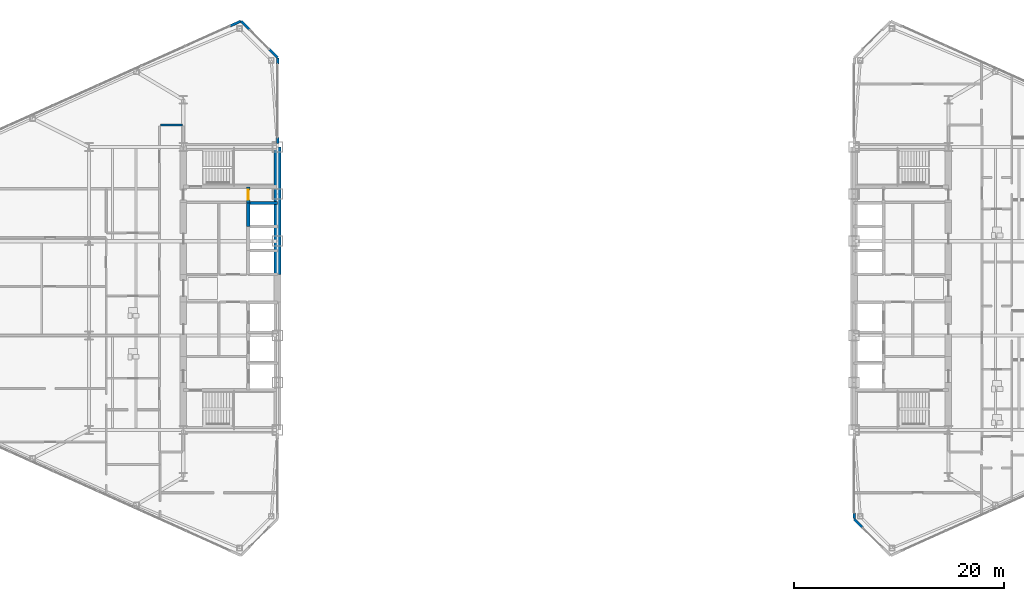
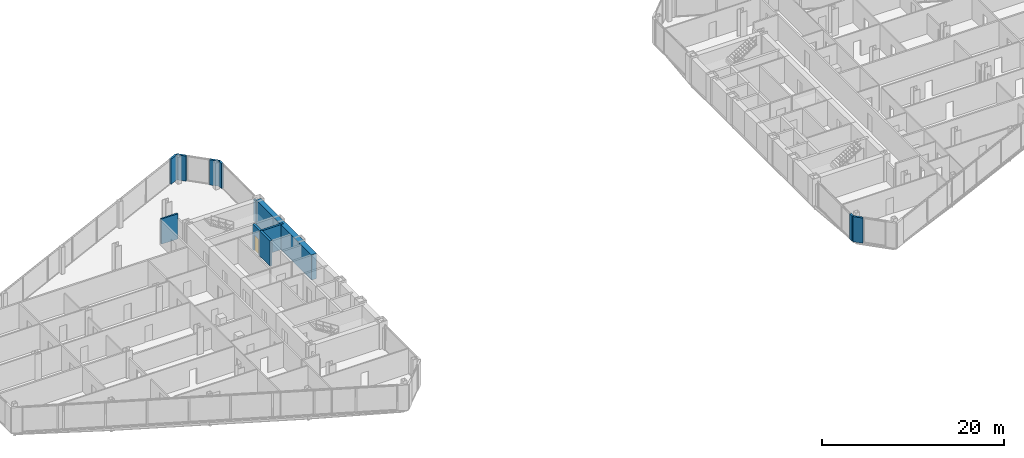
# One storey, part 21 of 27: 12 walls, 1 door, 1 opening.
"""IFC4 building model written with IfcOpenShell, lengths in metres."""

from ifc_helpers import new_model, si_unit, direction, frame, frame_2d, origin, place, context, subcontext, project, spatial, rectangle, extrude, source, transform, mapped, material, layer, layer_set, type_object, type_shapes, element, fill, save


model = new_model("IFC4")

# Units and contexts
model_context = context("Model", 3, precision=1e-05, world=origin(), true_north=direction((0.0, 1.0)))
body_context = subcontext(model_context, "Body", "Model", "MODEL_VIEW")
ifc_project = project(units=[si_unit("LENGTHUNIT", "METRE"), si_unit("AREAUNIT", "SQUARE_METRE"), si_unit("VOLUMEUNIT", "CUBIC_METRE"), si_unit("PLANEANGLEUNIT", "RADIAN"), si_unit("MASSUNIT", "GRAM", prefix="KILO")], contexts=[model_context])

# Site, building, storey
site_placement = place(None, origin())
site = spatial("IfcSite", under=ifc_project, at=site_placement, CompositionType="ELEMENT")
building_placement = place(site_placement, origin())
building = spatial("IfcBuilding", under=site, at=building_placement, Name="Seokmaru Belvedere", CompositionType="ELEMENT")
storey_placement = place(building_placement, frame((0.0, 0.0, 65.699951171875)))
storey = spatial("IfcBuildingStorey", under=building, at=storey_placement, Name="L17", CompositionType="ELEMENT", Elevation=65.699951171875)

# Walls
ifc_material_1 = material(Name="Concrete C50 (50 MPa)", Category="concrete")
ifc_layer_1 = layer(ifc_material_1, 0.25)
ifc_layer_set_1 = layer_set([ifc_layer_1], Name="Concrete C50 (50 MPa)")
wall_type_1 = type_object("IfcWallType", Name="Hoistway Transverse Concrete Divider Wall 250", PredefinedType="SHEAR", material=ifc_layer_set_1)
wall_1_placement = place(storey_placement, frame((-30.300048828125, 8.14990234375, 0.0), z_axis=(0.0, 0.0, 1.0), x_axis=(1.0, 0.0, 0.0)))
element("IfcWall", 1, at=wall_1_placement, inside=storey, type_object=wall_type_1, Name="L17 West Hoistway Divider Core Wall 7", PredefinedType="SHEAR", context=body_context, shape_type="SweptSolid", body=[
    extrude(rectangle(XDim=2.800048828125, YDim=0.25, at=frame_2d((1.39990234375, 0.0))), origin(), (0.0, 0.0, 1.0), 3.380126953125),
])
ifc_material_2 = material(Name="Fire-Rated Gypsum Shaftwall")
ifc_layer_2 = layer(ifc_material_2, 0.199951171875)
ifc_layer_set_2 = layer_set([ifc_layer_2], Name="Fire-Rated Gypsum Shaftwall")
wall_type_2 = type_object("IfcWallType", Name="Inter-Tenancy Fire Compartment Partition 200", PredefinedType="PARTITIONING", material=ifc_layer_set_2)
wall_2_placement = place(storey_placement, frame((-38.6650390625, 15.60009765625, 0.0), z_axis=(0.0, 0.0, 1.0), x_axis=(1.0, 0.0, 0.0)))
element("IfcWall", 2, at=wall_2_placement, inside=storey, type_object=wall_type_2, Name="L17 Interior Partition 029", PredefinedType="PARTITIONING", context=body_context, shape_type="SweptSolid", body=[
    extrude(rectangle(XDim=2.080078125, YDim=0.199951171875, at=frame_2d((1.0400390625, 0.0))), origin(), (0.0, 0.0, 1.0), 3.380126953125),
])
ifc_layer_3 = layer(ifc_material_1, 0.300048828125)
ifc_layer_set_3 = layer_set([ifc_layer_3], Name="Concrete C50 (50 MPa)")
wall_type_3 = type_object("IfcWallType", Name="Internal Core Stair and Hoistway Wall 300", PredefinedType="SHEAR", material=ifc_layer_set_3)
wall_3_placement = place(storey_placement, frame((-30.300048828125, 5.89990234375, 0.0), z_axis=(0.0, 0.0, 1.0), x_axis=(0.0, 1.0, 0.0)))
element("IfcWall", 3, at=wall_3_placement, inside=storey, type_object=wall_type_3, Name="L17 West North Hoistway Wall OBS", PredefinedType="SHEAR", context=body_context, shape_type="SweptSolid", body=[
    extrude(rectangle(XDim=2.25, YDim=0.300048828125, at=frame_2d((1.125, 0.0))), origin(), (0.0, 0.0, 1.0), 3.380126953125),
])

# Wall, opening, door
wall_4_placement = place(storey_placement, frame((-30.300048828125, 8.14990234375, 0.0), z_axis=(0.0, 0.0, 1.0), x_axis=(0.0, 1.0, 0.0)))
wall_4 = element("IfcWall", 4, at=wall_4_placement, inside=storey, type_object=wall_type_3, Name="L17 West Electrical Riser Front Wall", PredefinedType="SHEAR", context=body_context, shape_type="SweptSolid", body=[
    extrude(rectangle(XDim=1.530029296875, YDim=0.300048828125, at=frame_2d((0.76513671875, 0.0))), origin(), (0.0, 0.0, 1.0), 3.380126953125),
])
opening_placement = place(wall_4_placement, frame((0.284912109375, 0.0, 0.0)))
opening = element("IfcOpeningElement", 5, at=opening_placement, cuts=wall_4, Name="Opening D04", PredefinedType="OPENING", context=body_context, shape_type="SweptSolid", body=[
    extrude(rectangle(XDim=0.949951171875, YDim=2.14990234375, at=frame_2d((0.47509765625, 1.074951171875))), frame((0.0, 0.16015625, 0.0), z_axis=(0.0, -1.0, 0.0), x_axis=(1.0, 0.0, 0.0)), (0.0, 0.0, 1.0), 0.320068359375),
])
ifc_material_3 = material(Name="Fire-Rated Steel Leaf", Category="steel")
door_type = type_object("IfcDoorType", Name="Core Service Room Fire Door 950x2150", OperationType="NOTDEFINED", PredefinedType="DOOR", material=ifc_material_3)
shared_shape = source(origin(), body_context, "Body", "SweptSolid", [
    extrude(rectangle(XDim=0.949951171875, YDim=2.14990234375, at=frame_2d((0.47509765625, 1.074951171875))), frame((0.0, 0.02490234375, 0.0), z_axis=(0.0, -1.0, 0.0), x_axis=(1.0, 0.0, 0.0)), (0.0, 0.0, 1.0), 0.050048828125),
])
type_shapes(door_type, [shared_shape])
door_placement = place(opening_placement, origin())
door = element("IfcDoor", 6, at=door_placement, inside=storey, type_object=door_type, Name="L17 West Electrical Riser Access Door", OperationType="SINGLE_SWING_LEFT", OverallHeight=2.14990234375, OverallWidth=0.949951171875, PredefinedType="DOOR", context=body_context, shape_type="MappedRepresentation", body=[
    mapped(shared_shape, transform((0.0, 0.0, 0.0), scale=1.0)),
])
fill(opening, door)

# Walls
ifc_material_4 = material(Name="Concrete C60 (60 MPa)", Category="concrete")
ifc_layer_4 = layer(ifc_material_4, 0.64990234375)
ifc_layer_set_4 = layer_set([ifc_layer_4], Name="Concrete C60 (60 MPa)")
wall_type_4 = type_object("IfcWallType", Name="Mid-Low Reinforced Concrete Core Wall 650", PredefinedType="SHEAR", material=ifc_layer_set_4)
wall_5_placement = place(storey_placement, frame((-27.5, 1.300048828125, 0.0), z_axis=(0.0, 0.0, 1.0), x_axis=(0.0, 1.0, 0.0)))
element("IfcWall", 7, at=wall_5_placement, inside=storey, type_object=wall_type_4, Name="L17 West Portal Spine Core Wall North", PredefinedType="SHEAR", context=body_context, shape_type="SweptSolid", body=[
    extrude(rectangle(XDim=12.199951171875, YDim=0.64990234375, at=frame_2d((6.10009765625, 0.0))), origin(), (0.0, 0.0, 1.0), 3.380126953125),
])
ifc_material_5 = material(Name="Anodised Bronze Aluminium", Category="aluminium")
ifc_layer_5 = layer(ifc_material_5, 0.239990234375)
ifc_layer_set_5 = layer_set([ifc_layer_5], Name="Anodised Bronze Aluminium")
wall_type_5 = type_object("IfcWallType", Name="Tower Corner Spandrel Closure Wall 240", PredefinedType="SOLIDWALL", material=ifc_layer_set_5)
wall_6_placement = place(storey_placement, frame((-27.5, 13.830078125, 0.0), z_axis=(0.0, 0.0, 1.0), x_axis=(0.0, 1.0, 0.0)))
element("IfcWall", 8, at=wall_6_placement, inside=storey, type_object=wall_type_5, Name="L17 W Spine Closure Pier 2A", PredefinedType="SOLIDWALL", context=body_context, shape_type="SweptSolid", body=[
    extrude(rectangle(XDim=0.5498046875, YDim=0.239990234375, at=frame_2d((0.27490234375, 0.0))), origin(), (0.0, 0.0, 1.0), 2.880126953125),
])
wall_7_placement = place(storey_placement, frame((-27.5, 21.429931640625, 0.0), z_axis=(0.0, 0.0, 1.0), x_axis=(0.0, 1.0, 0.0)))
element("IfcWall", 9, at=wall_7_placement, inside=storey, type_object=wall_type_5, Name="L17 W Spine Closure Pier 2B", PredefinedType="SOLIDWALL", context=body_context, shape_type="SweptSolid", body=[
    extrude(rectangle(XDim=0.550048828125, YDim=0.239990234375, at=frame_2d((0.27490234375, 0.0))), origin(), (0.0, 0.0, 1.0), 3.380126953125),
])
for number, where, z_axis, x_axis, name in (
    (10, (-27.507080078125, 22.007080078125, 0.0), (0.0, 0.0, 1.0), (-0.707106781187, 0.707106781187, 0.0), "L17 W Corner Closure Pier 2A"),
    (11, (-30.186767578125, 24.686767578125, 0.0), (0.0, 0.0, 1.0), (-0.707106781187, 0.707106781187, 0.0), "L17 W Corner Closure Pier 2B"),
):
    element("IfcWall", number, at=place(storey_placement, frame(where, z_axis=z_axis, x_axis=x_axis)), inside=storey, type_object=wall_type_5, Name=name, PredefinedType="SOLIDWALL", context=body_context, shape_type="SweptSolid", body=[
        extrude(rectangle(XDim=1.14013671875, YDim=0.239990234375, at=frame_2d((0.570068359375, 0.0))), origin(), (0.0, 0.0, 1.0), 3.380126953125),
    ])
wall_8_placement = place(storey_placement, frame((-31.009033203125, 25.495849609375, 0.0), z_axis=(0.0, 0.0, 1.0), x_axis=(-0.911929519623, -0.410346866979, 0.0)))
element("IfcWall", 12, at=wall_8_placement, inside=storey, type_object=wall_type_5, Name="L17 W Corner Closure Pier 3A", PredefinedType="SOLIDWALL", context=body_context, shape_type="SweptSolid", body=[
    extrude(rectangle(XDim=1.139892578125, YDim=0.239990234375, at=frame_2d((0.56982421875, 0.0))), origin(), (0.0, 0.0, 1.0), 3.380126953125),
])
wall_9_placement = place(storey_placement, frame((27.5, -21.97998046875, 0.0), z_axis=(0.0, 0.0, 1.0), x_axis=(0.0, 1.0, 0.0)))
element("IfcWall", 13, at=wall_9_placement, inside=storey, type_object=wall_type_5, Name="L17 E Spine Closure Pier 1A", PredefinedType="SOLIDWALL", context=body_context, shape_type="SweptSolid", body=[
    extrude(rectangle(XDim=0.550048828125, YDim=0.239990234375, at=frame_2d((0.27490234375, 0.0))), origin(), (0.0, 0.0, 1.0), 3.380126953125),
])
wall_10_placement = place(storey_placement, frame((27.507080078125, -22.007080078125, 0.0), z_axis=(0.0, 0.0, 1.0), x_axis=(0.707106781187, -0.707106781187, 0.0)))
element("IfcWall", 14, at=wall_10_placement, inside=storey, type_object=wall_type_5, Name="L17 E Corner Closure Pier 6A", PredefinedType="SOLIDWALL", context=body_context, shape_type="SweptSolid", body=[
    extrude(rectangle(XDim=1.14013671875, YDim=0.239990234375, at=frame_2d((0.570068359375, 0.0))), origin(), (0.0, 0.0, 1.0), 3.380126953125),
])

save(model, "model.ifc")
